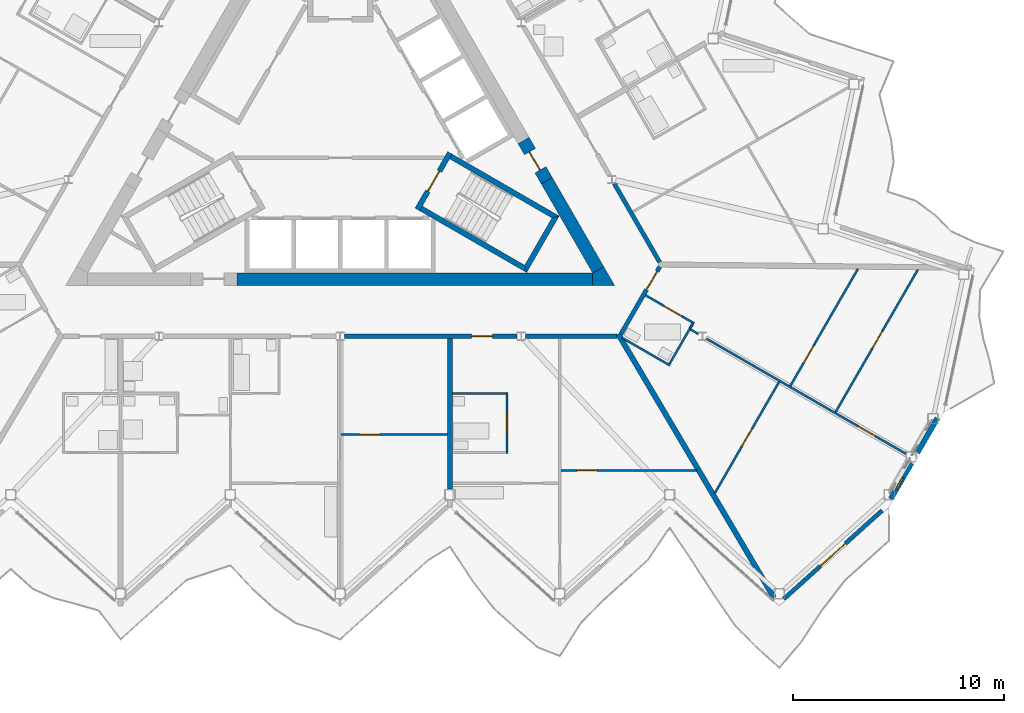
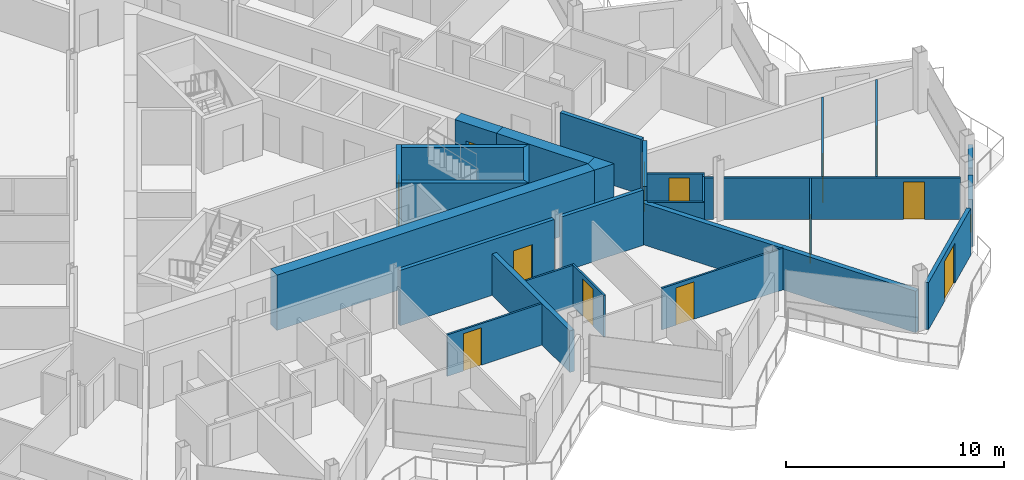
# One storey, part 15 of 26: 30 walls, 13 doors, 1 window, 14 openings.
"""IFC4 building model written with IfcOpenShell, lengths in metres."""

from ifc_helpers import new_model, si_unit, direction, frame, frame_2d, origin, place, context, subcontext, project, spatial, polyline, rectangle, outline, extrude, material, layer, layer_set, type_object, element, fill, save


model = new_model("IFC4")

# Units and contexts
model_context = context("Model", 3, precision=1e-05, world=origin(), true_north=direction((0.0, 1.0)))
body_context = subcontext(model_context, "Body", "Model", "MODEL_VIEW")
ifc_project = project(units=[si_unit("LENGTHUNIT", "METRE"), si_unit("AREAUNIT", "SQUARE_METRE"), si_unit("VOLUMEUNIT", "CUBIC_METRE"), si_unit("PLANEANGLEUNIT", "RADIAN"), si_unit("MASSUNIT", "GRAM", prefix="KILO")], contexts=[model_context])

# Site, building, storey
site_placement = place(None, origin())
site = spatial("IfcSite", under=ifc_project, at=site_placement, CompositionType="ELEMENT")
building_placement = place(site_placement, origin())
building = spatial("IfcBuilding", under=site, at=building_placement, Name="Cormorant Prow Tower", CompositionType="ELEMENT")
storey_placement = place(building_placement, frame((0.0, 0.0, 374.60009765625)))
storey = spatial("IfcBuildingStorey", under=building, at=storey_placement, Name="L84", CompositionType="ELEMENT", Elevation=374.60009765625)

# Walls
ifc_material_1 = material(Name="Concrete 8000 psi", Category="concrete")
ifc_layer_1 = layer(ifc_material_1, 0.60009765625)
ifc_layer_set_1 = layer_set([ifc_layer_1], Name="Concrete 8000 psi")
wall_type_1 = type_object("IfcWallType", Name="Core shear wall 600", PredefinedType="SHEAR", material=ifc_layer_set_1)
wall_1_placement = place(storey_placement, frame((-4.89208984375, -7.20556640625, 0.0), z_axis=(0.0, 0.0, 1.0), x_axis=(1.0, 0.0, 0.0)))
element("IfcWall", 1, at=wall_1_placement, inside=storey, type_object=wall_type_1, Name="Core wall", PredefinedType="SHEAR", context=body_context, shape_type="SweptSolid", body=[
    extrude(rectangle(XDim=16.852783203125, YDim=0.60009765625, at=frame_2d((8.42626953125, 0.0))), origin(), (0.0, 0.0, 1.0), 3.099853515625),
])
wall_2_placement = place(storey_placement, frame((12.220703125, -6.755615234375, 0.0), z_axis=(0.0, 0.0, 1.0), x_axis=(-0.50000604952, 0.866021911064, 0.0)))
element("IfcWall", 2, at=wall_2_placement, inside=storey, type_object=wall_type_1, Name="Core wall", PredefinedType="SHEAR", context=body_context, shape_type="SweptSolid", body=[
    extrude(rectangle(XDim=4.86865234375, YDim=0.60009765625, at=frame_2d((2.434326171875, 0.0))), origin(), (0.0, 0.0, 1.0), 3.099853515625),
])
wall_3_placement = place(storey_placement, origin())
element("IfcWall", 3, at=wall_3_placement, inside=storey, type_object=wall_type_1, Name="Core wall corner", PredefinedType="SHEAR", context=body_context, shape_type="SweptSolid", body=[
    extrude(outline(polyline([(11.960693359375, -7.505615234375), (11.960693359375, -6.905517578125), (12.48046875, -6.605712890625), (13.0, -7.505615234375), (11.960693359375, -7.505615234375)])), origin(), (0.0, 0.0, 1.0), 3.099853515625),
])

# Wall, opening, door
wall_4_placement = place(storey_placement, frame((9.786376953125, -2.539306640625, 0.0), z_axis=(0.0, 0.0, 1.0), x_axis=(-0.499981787252, 0.866035918664, 0.0)))
wall_4 = element("IfcWall", 4, at=wall_4_placement, inside=storey, type_object=wall_type_1, Name="Core wall door panel", PredefinedType="SHEAR", context=body_context, shape_type="SweptSolid", body=[
    extrude(rectangle(XDim=2.2001953125, YDim=0.60009765625, at=frame_2d((1.10009765625, 0.0))), origin(), (0.0, 0.0, 1.0), 3.099853515625),
])
opening_1_placement = place(wall_4_placement, frame((0.60009765625, 0.0, 0.0)))
opening_1 = element("IfcOpeningElement", 5, at=opening_1_placement, cuts=wall_4, Name="Opening L84-C15", PredefinedType="OPENING", context=body_context, shape_type="SweptSolid", body=[
    extrude(rectangle(XDim=1.0, YDim=2.10009765625, at=frame_2d((0.5, 1.050048828125))), frame((0.0, 0.31005859375, 0.0), z_axis=(0.0, -1.0, 0.0), x_axis=(1.0, 0.0, 0.0)), (0.0, 0.0, 1.0), 0.6201171875),
])
ifc_material_2 = material(Name="Painted steel", Category="steel")
door_type_1 = type_object("IfcDoorType", Name="Service door 1000x2100", OperationType="NOTDEFINED", PredefinedType="DOOR", material=ifc_material_2)
door_1_placement = place(opening_1_placement, origin())
door_1 = element("IfcDoor", 6, at=door_1_placement, inside=storey, type_object=door_type_1, Name="Core door, Electrical room", OperationType="SINGLE_SWING_LEFT", OverallHeight=2.10009765625, OverallWidth=1.0, PredefinedType="DOOR", context=body_context, shape_type="SweptSolid", body=[
    extrude(rectangle(XDim=1.0, YDim=2.10009765625, at=frame_2d((0.5, 1.050048828125))), frame((0.0, 0.05517578125, 0.0), z_axis=(0.0, -1.0, 0.0), x_axis=(1.0, 0.0, 0.0)), (0.0, 0.0, 1.0), 0.050048828125),
])
fill(opening_1, door_1)

ifc_material_3 = material(Name="Gypsum board corridor wall")
ifc_layer_2 = layer(ifc_material_3, 0.199951171875)
ifc_layer_set_2 = layer_set([ifc_layer_2], Name="Gypsum board corridor wall")
wall_type_2 = type_object("IfcWallType", Name="Corridor wall 200", PredefinedType="PARTITIONING", material=ifc_layer_set_2)
wall_5_placement = place(storey_placement, frame((0.197021484375, -9.905517578125, 0.0), z_axis=(0.0, 0.0, 1.0), x_axis=(1.0, 0.0, 0.0)))
wall_5 = element("IfcWall", 7, at=wall_5_placement, inside=storey, type_object=wall_type_2, Name="Corridor wall", PredefinedType="PARTITIONING", context=body_context, shape_type="SweptSolid", body=[
    extrude(rectangle(XDim=8.1845703125, YDim=0.199951171875, at=frame_2d((4.09228515625, 0.0))), origin(), (0.0, 0.0, 1.0), 3.099853515625),
])
opening_2_placement = place(wall_5_placement, frame((6.02294921875, 0.0, 0.0)))
opening_2 = element("IfcOpeningElement", 8, at=opening_2_placement, cuts=wall_5, Name="Opening L84-F11", PredefinedType="OPENING", context=body_context, shape_type="SweptSolid", body=[
    extrude(rectangle(XDim=1.0, YDim=2.10009765625, at=frame_2d((0.5, 1.050048828125))), frame((0.0, 0.10986328125, 0.0), z_axis=(0.0, -1.0, 0.0), x_axis=(1.0, 0.0, 0.0)), (0.0, 0.0, 1.0), 0.219970703125),
])
ifc_material_4 = material(Name="Timber door leaf", Category="wood")
door_type_2 = type_object("IfcDoorType", Name="Flat or room entrance door 1000x2100", OperationType="NOTDEFINED", PredefinedType="DOOR", material=ifc_material_4)
door_2_placement = place(opening_2_placement, origin())
door_2 = element("IfcDoor", 9, at=door_2_placement, inside=storey, type_object=door_type_2, Name="Living room door", OperationType="SINGLE_SWING_LEFT", OverallHeight=2.10009765625, OverallWidth=1.0, PredefinedType="DOOR", context=body_context, shape_type="SweptSolid", body=[
    extrude(rectangle(XDim=1.0, YDim=2.10009765625, at=frame_2d((0.5, 1.050048828125))), frame((0.0, 0.02490234375, 0.0), z_axis=(0.0, -1.0, 0.0), x_axis=(1.0, 0.0, 0.0)), (0.0, 0.0, 1.0), 0.050048828125),
])
fill(opening_2, door_2)

# Walls
wall_6_placement = place(storey_placement, frame((8.775390625, -9.905517578125, 0.0), z_axis=(0.0, 0.0, 1.0), x_axis=(1.0, 0.0, 0.0)))
element("IfcWall", 10, at=wall_6_placement, inside=storey, type_object=wall_type_2, Name="Corridor wall", PredefinedType="PARTITIONING", context=body_context, shape_type="SweptSolid", body=[
    extrude(rectangle(XDim=4.33056640625, YDim=0.199951171875, at=frame_2d((2.165283203125, 0.0))), origin(), (0.0, 0.0, 1.0), 3.099853515625),
])
wall_7_placement = place(storey_placement, frame((12.9814453125, -2.67333984375, 0.0), z_axis=(0.0, 0.0, 1.0), x_axis=(0.499986217557, -0.866033360935, 0.0)))
element("IfcWall", 11, at=wall_7_placement, inside=storey, type_object=wall_type_2, Name="Corridor wall", PredefinedType="PARTITIONING", context=body_context, shape_type="SweptSolid", body=[
    extrude(rectangle(XDim=4.2998046875, YDim=0.199951171875, at=frame_2d((2.14990234375, 0.0))), origin(), (0.0, 0.0, 1.0), 3.099853515625),
])

# Wall, opening, door
wall_8_placement = place(storey_placement, frame((13.29345703125, -9.79736328125, 0.0), z_axis=(0.0, 0.0, 1.0), x_axis=(0.499967746641, 0.866044024469, 0.0)))
wall_8 = element("IfcWall", 12, at=wall_8_placement, inside=storey, type_object=wall_type_2, Name="Corridor wall", PredefinedType="PARTITIONING", context=body_context, shape_type="SweptSolid", body=[
    extrude(rectangle(XDim=3.676025390625, YDim=0.199951171875, at=frame_2d((1.837890625, 0.0))), origin(), (0.0, 0.0, 1.0), 3.099853515625),
])
opening_3_placement = place(wall_8_placement, frame((2.426025390625, 0.0, 0.0)))
opening_3 = element("IfcOpeningElement", 13, at=opening_3_placement, cuts=wall_8, Name="Opening L84-F16", PredefinedType="OPENING", context=body_context, shape_type="SweptSolid", body=[
    extrude(rectangle(XDim=1.0, YDim=2.10009765625, at=frame_2d((0.5, 1.050048828125))), frame((0.0, 0.10986328125, 0.0), z_axis=(0.0, -1.0, 0.0), x_axis=(1.0, 0.0, 0.0)), (0.0, 0.0, 1.0), 0.219970703125),
])
door_3_placement = place(opening_3_placement, origin())
door_3 = element("IfcDoor", 14, at=door_3_placement, inside=storey, type_object=door_type_2, Name="Living room door", OperationType="SINGLE_SWING_RIGHT", OverallHeight=2.10009765625, OverallWidth=1.0, PredefinedType="DOOR", context=body_context, shape_type="SweptSolid", body=[
    extrude(rectangle(XDim=1.0, YDim=2.10009765625, at=frame_2d((0.5, 1.050048828125))), frame((0.0, 0.02490234375, 0.0), z_axis=(0.0, -1.0, 0.0), x_axis=(1.0, 0.0, 0.0)), (0.0, 0.0, 1.0), 0.050048828125),
])
fill(opening_3, door_3)

ifc_material_5 = material(Name="Gypsum board partition")
ifc_layer_3 = layer(ifc_material_5, 0.10009765625)
ifc_layer_set_3 = layer_set([ifc_layer_3], Name="Gypsum board partition")
wall_type_3 = type_object("IfcWallType", Name="Internal partition 100", PredefinedType="PARTITIONING", material=ifc_layer_set_3)
wall_9_placement = place(storey_placement, frame((17.35400390625, -10.019287109375, 0.0), z_axis=(0.0, 0.0, 1.0), x_axis=(0.866019680922, -0.500009912158, 0.0)))
wall_9 = element("IfcWall", 15, at=wall_9_placement, inside=storey, type_object=wall_type_3, Name="Internal partition", PredefinedType="PARTITIONING", context=body_context, shape_type="SweptSolid", body=[
    extrude(rectangle(XDim=10.880615234375, YDim=0.10009765625, at=frame_2d((5.4404296875, 0.0))), origin(), (0.0, 0.0, 1.0), 2.330078125),
])
opening_4_placement = place(wall_9_placement, frame((8.276123046875, 0.0, 0.0)))
opening_4 = element("IfcOpeningElement", 16, at=opening_4_placement, cuts=wall_9, Name="Opening L84-F20", PredefinedType="OPENING", context=body_context, shape_type="SweptSolid", body=[
    extrude(rectangle(XDim=0.949951171875, YDim=2.10009765625, at=frame_2d((0.47509765625, 1.050048828125))), frame((0.0, 0.06005859375, 0.0), z_axis=(0.0, -1.0, 0.0), x_axis=(1.0, 0.0, 0.0)), (0.0, 0.0, 1.0), 0.1201171875),
])
ifc_material_6 = material(Name="Timber door leaf", Category="wood")
door_type_3 = type_object("IfcDoorType", Name="Bathroom door 950x2100", OperationType="NOTDEFINED", PredefinedType="DOOR", material=ifc_material_6)
door_4_placement = place(opening_4_placement, origin())
door_4 = element("IfcDoor", 17, at=door_4_placement, inside=storey, type_object=door_type_3, Name="Dining room door", OperationType="SINGLE_SWING_LEFT", OverallHeight=2.10009765625, OverallWidth=0.949951171875, PredefinedType="DOOR", context=body_context, shape_type="SweptSolid", body=[
    extrude(rectangle(XDim=0.949951171875, YDim=2.10009765625, at=frame_2d((0.47509765625, 1.050048828125))), frame((0.0, 0.02490234375, 0.0), z_axis=(0.0, -1.0, 0.0), x_axis=(1.0, 0.0, 0.0)), (0.0, 0.0, 1.0), 0.050048828125),
])
fill(opening_4, door_4)

wall_10_placement = place(storey_placement, frame((23.462646484375, -13.48828125, 0.0), z_axis=(0.0, 0.0, 1.0), x_axis=(0.500012519194, 0.866018175704, 0.0)))
wall_10 = element("IfcWall", 18, at=wall_10_placement, inside=storey, type_object=wall_type_3, Name="Internal partition", PredefinedType="PARTITIONING", context=body_context, shape_type="SweptSolid", body=[
    extrude(rectangle(XDim=7.795654296875, YDim=0.10009765625, at=frame_2d((3.89794921875, 0.0))), origin(), (0.0, 0.0, 1.0), 2.330078125),
])
opening_5_placement = place(wall_10_placement, frame((3.47314453125, 0.0, 0.0)))
opening_5 = element("IfcOpeningElement", 19, at=opening_5_placement, cuts=wall_10, Name="Opening L84-F19", PredefinedType="OPENING", context=body_context, shape_type="SweptSolid", body=[
    extrude(rectangle(XDim=0.949951171875, YDim=2.10009765625, at=frame_2d((0.47509765625, 1.050048828125))), frame((0.0, 0.06005859375, 0.0), z_axis=(0.0, -1.0, 0.0), x_axis=(1.0, 0.0, 0.0)), (0.0, 0.0, 1.0), 0.1201171875),
])
door_5_placement = place(opening_5_placement, origin())
door_5 = element("IfcDoor", 20, at=door_5_placement, inside=storey, type_object=door_type_3, Name="Kitchen door", OperationType="SINGLE_SWING_RIGHT", OverallHeight=2.10009765625, OverallWidth=0.949951171875, PredefinedType="DOOR", context=body_context, shape_type="SweptSolid", body=[
    extrude(rectangle(XDim=0.949951171875, YDim=2.10009765625, at=frame_2d((0.47509765625, 1.050048828125))), frame((0.0, 0.02490234375, 0.0), z_axis=(0.0, -1.0, 0.0), x_axis=(1.0, 0.0, 0.0)), (0.0, 0.0, 1.0), 0.050048828125),
])
fill(opening_5, door_5)

wall_11_placement = place(storey_placement, frame((21.3193359375, -12.2509765625, 0.0), z_axis=(0.0, 0.0, 1.0), x_axis=(0.499999833739, 0.866025499775, 0.0)))
wall_11 = element("IfcWall", 21, at=wall_11_placement, inside=storey, type_object=wall_type_3, Name="Internal partition", PredefinedType="PARTITIONING", context=body_context, shape_type="SweptSolid", body=[
    extrude(rectangle(XDim=6.39990234375, YDim=0.10009765625, at=frame_2d((3.199951171875, 0.0))), origin(), (0.0, 0.0, 1.0), 2.330078125),
])
opening_6_placement = place(wall_11_placement, frame((1.26025390625, 0.0, 0.0)))
opening_6 = element("IfcOpeningElement", 22, at=opening_6_placement, cuts=wall_11, Name="Opening L84-F18", PredefinedType="OPENING", context=body_context, shape_type="SweptSolid", body=[
    extrude(rectangle(XDim=0.949951171875, YDim=2.10009765625, at=frame_2d((0.47509765625, 1.050048828125))), frame((0.0, 0.06005859375, 0.0), z_axis=(0.0, -1.0, 0.0), x_axis=(1.0, 0.0, 0.0)), (0.0, 0.0, 1.0), 0.1201171875),
])
door_6_placement = place(opening_6_placement, origin())
door_6 = element("IfcDoor", 23, at=door_6_placement, inside=storey, type_object=door_type_3, Name="Living room door", OperationType="SINGLE_SWING_RIGHT", OverallHeight=2.10009765625, OverallWidth=0.949951171875, PredefinedType="DOOR", context=body_context, shape_type="SweptSolid", body=[
    extrude(rectangle(XDim=0.949951171875, YDim=2.10009765625, at=frame_2d((0.47509765625, 1.050048828125))), frame((0.0, 0.02490234375, 0.0), z_axis=(0.0, -1.0, 0.0), x_axis=(1.0, 0.0, 0.0)), (0.0, 0.0, 1.0), 0.050048828125),
])
fill(opening_6, door_6)

wall_12_placement = place(storey_placement, frame((10.449951171875, -16.254638671875, 0.0), z_axis=(0.0, 0.0, 1.0), x_axis=(1.0, 0.0, 0.0)))
wall_12 = element("IfcWall", 24, at=wall_12_placement, inside=storey, type_object=wall_type_3, Name="Internal partition", PredefinedType="PARTITIONING", context=body_context, shape_type="SweptSolid", body=[
    extrude(rectangle(XDim=6.446533203125, YDim=0.10009765625, at=frame_2d((3.22314453125, 0.0))), origin(), (0.0, 0.0, 1.0), 2.330078125),
])
opening_7_placement = place(wall_12_placement, frame((0.759765625, 0.0, 0.0)))
opening_7 = element("IfcOpeningElement", 25, at=opening_7_placement, cuts=wall_12, Name="Opening L84-F15", PredefinedType="OPENING", context=body_context, shape_type="SweptSolid", body=[
    extrude(rectangle(XDim=0.949951171875, YDim=2.10009765625, at=frame_2d((0.47509765625, 1.050048828125))), frame((0.0, 0.06005859375, 0.0), z_axis=(0.0, -1.0, 0.0), x_axis=(1.0, 0.0, 0.0)), (0.0, 0.0, 1.0), 0.1201171875),
])
door_7_placement = place(opening_7_placement, origin())
door_7 = element("IfcDoor", 26, at=door_7_placement, inside=storey, type_object=door_type_3, Name="Bedroom door", OperationType="SINGLE_SWING_LEFT", OverallHeight=2.10009765625, OverallWidth=0.949951171875, PredefinedType="DOOR", context=body_context, shape_type="SweptSolid", body=[
    extrude(rectangle(XDim=0.949951171875, YDim=2.10009765625, at=frame_2d((0.47509765625, 1.050048828125))), frame((0.0, 0.02490234375, 0.0), z_axis=(0.0, -1.0, 0.0), x_axis=(1.0, 0.0, 0.0)), (0.0, 0.0, 1.0), 0.050048828125),
])
fill(opening_7, door_7)

wall_13_placement = place(storey_placement, frame((17.743896484375, -17.329345703125, 0.0), z_axis=(0.0, 0.0, 1.0), x_axis=(0.49997479812, 0.866039953608, 0.0)))
wall_13 = element("IfcWall", 27, at=wall_13_placement, inside=storey, type_object=wall_type_3, Name="Internal partition", PredefinedType="PARTITIONING", context=body_context, shape_type="SweptSolid", body=[
    extrude(rectangle(XDim=6.085693359375, YDim=0.10009765625, at=frame_2d((3.04296875, 0.0))), origin(), (0.0, 0.0, 1.0), 2.330078125),
])
opening_8_placement = place(wall_13_placement, frame((2.56787109375, 0.0, 0.0)))
opening_8 = element("IfcOpeningElement", 28, at=opening_8_placement, cuts=wall_13, Name="Opening L84-F21", PredefinedType="OPENING", context=body_context, shape_type="SweptSolid", body=[
    extrude(rectangle(XDim=0.949951171875, YDim=2.10009765625, at=frame_2d((0.47509765625, 1.050048828125))), frame((0.0, 0.06005859375, 0.0), z_axis=(0.0, -1.0, 0.0), x_axis=(1.0, 0.0, 0.0)), (0.0, 0.0, 1.0), 0.1201171875),
])
door_8_placement = place(opening_8_placement, origin())
door_8 = element("IfcDoor", 29, at=door_8_placement, inside=storey, type_object=door_type_3, Name="Principal bedroom door", OperationType="SINGLE_SWING_LEFT", OverallHeight=2.10009765625, OverallWidth=0.949951171875, PredefinedType="DOOR", context=body_context, shape_type="SweptSolid", body=[
    extrude(rectangle(XDim=0.949951171875, YDim=2.10009765625, at=frame_2d((0.47509765625, 1.050048828125))), frame((0.0, 0.02490234375, 0.0), z_axis=(0.0, -1.0, 0.0), x_axis=(1.0, 0.0, 0.0)), (0.0, 0.0, 1.0), 0.050048828125),
])
fill(opening_8, door_8)

wall_14_placement = place(storey_placement, frame((0.050048828125, -14.555419921875, 0.0), z_axis=(0.0, 0.0, 1.0), x_axis=(1.0, 0.0, 0.0)))
wall_14 = element("IfcWall", 30, at=wall_14_placement, inside=storey, type_object=wall_type_3, Name="Internal partition", PredefinedType="PARTITIONING", context=body_context, shape_type="SweptSolid", body=[
    extrude(rectangle(XDim=5.02490234375, YDim=0.10009765625, at=frame_2d((2.512451171875, 0.0))), origin(), (0.0, 0.0, 1.0), 2.330078125),
])
opening_9_placement = place(wall_14_placement, frame((0.86279296875, 0.0, 0.0)))
opening_9 = element("IfcOpeningElement", 31, at=opening_9_placement, cuts=wall_14, Name="Opening L84-F09", PredefinedType="OPENING", context=body_context, shape_type="SweptSolid", body=[
    extrude(rectangle(XDim=0.949951171875, YDim=2.10009765625, at=frame_2d((0.47509765625, 1.050048828125))), frame((0.0, 0.06005859375, 0.0), z_axis=(0.0, -1.0, 0.0), x_axis=(1.0, 0.0, 0.0)), (0.0, 0.0, 1.0), 0.1201171875),
])
door_9_placement = place(opening_9_placement, origin())
door_9 = element("IfcDoor", 32, at=door_9_placement, inside=storey, type_object=door_type_3, Name="Bedroom door", OperationType="SINGLE_SWING_LEFT", OverallHeight=2.10009765625, OverallWidth=0.949951171875, PredefinedType="DOOR", context=body_context, shape_type="SweptSolid", body=[
    extrude(rectangle(XDim=0.949951171875, YDim=2.10009765625, at=frame_2d((0.47509765625, 1.050048828125))), frame((0.0, 0.02490234375, 0.0), z_axis=(0.0, -1.0, 0.0), x_axis=(1.0, 0.0, 0.0)), (0.0, 0.0, 1.0), 0.050048828125),
])
fill(opening_9, door_9)

wall_15_placement = place(storey_placement, frame((7.89990234375, -15.45556640625, 0.0), z_axis=(0.0, 0.0, 1.0), x_axis=(0.0, 1.0, 0.0)))
wall_15 = element("IfcWall", 33, at=wall_15_placement, inside=storey, type_object=wall_type_3, Name="Internal partition", PredefinedType="PARTITIONING", context=body_context, shape_type="SweptSolid", body=[
    extrude(rectangle(XDim=2.89990234375, YDim=0.10009765625, at=frame_2d((1.449951171875, 0.0))), origin(), (0.0, 0.0, 1.0), 2.330078125),
])
opening_10_placement = place(wall_15_placement, frame((0.97509765625, 0.0, 0.0)))
opening_10 = element("IfcOpeningElement", 34, at=opening_10_placement, cuts=wall_15, Name="Opening L84-F12", PredefinedType="OPENING", context=body_context, shape_type="SweptSolid", body=[
    extrude(rectangle(XDim=0.949951171875, YDim=2.10009765625, at=frame_2d((0.47509765625, 1.050048828125))), frame((0.0, 0.06005859375, 0.0), z_axis=(0.0, -1.0, 0.0), x_axis=(1.0, 0.0, 0.0)), (0.0, 0.0, 1.0), 0.1201171875),
])
door_10_placement = place(opening_10_placement, origin())
door_10 = element("IfcDoor", 35, at=door_10_placement, inside=storey, type_object=door_type_3, Name="Living room door", OperationType="SINGLE_SWING_RIGHT", OverallHeight=2.10009765625, OverallWidth=0.949951171875, PredefinedType="DOOR", context=body_context, shape_type="SweptSolid", body=[
    extrude(rectangle(XDim=0.949951171875, YDim=2.10009765625, at=frame_2d((0.47509765625, 1.050048828125))), frame((0.0, 0.02490234375, 0.0), z_axis=(0.0, -1.0, 0.0), x_axis=(1.0, 0.0, 0.0)), (0.0, 0.0, 1.0), 0.050048828125),
])
fill(opening_10, door_10)

# Walls
wall_16_placement = place(storey_placement, frame((13.339111328125, -9.968017578125, 0.0), z_axis=(0.0, 0.0, 1.0), x_axis=(0.866013657776, -0.500020344131, 0.0)))
element("IfcWall", 36, at=wall_16_placement, inside=storey, type_object=wall_type_3, Name="Internal partition", PredefinedType="PARTITIONING", context=body_context, shape_type="SweptSolid", body=[
    extrude(rectangle(XDim=2.625, YDim=0.10009765625, at=frame_2d((1.3125, 0.0))), origin(), (0.0, 0.0, 1.0), 2.330078125),
])
wall_17_placement = place(storey_placement, frame((5.324951171875, -12.605712890625, 0.0), z_axis=(0.0, 0.0, 1.0), x_axis=(1.0, 0.0, 0.0)))
element("IfcWall", 37, at=wall_17_placement, inside=storey, type_object=wall_type_3, Name="Internal partition", PredefinedType="PARTITIONING", context=body_context, shape_type="SweptSolid", body=[
    extrude(rectangle(XDim=2.525146484375, YDim=0.10009765625, at=frame_2d((1.2626953125, 0.0))), origin(), (0.0, 0.0, 1.0), 2.330078125),
])

# Wall, opening, door
wall_18_placement = place(storey_placement, frame((14.46728515625, -7.963623046875, 0.0), z_axis=(0.0, 0.0, 1.0), x_axis=(0.866062824362, -0.499935180056, 0.0)))
wall_18 = element("IfcWall", 38, at=wall_18_placement, inside=storey, type_object=wall_type_3, Name="Internal partition", PredefinedType="PARTITIONING", context=body_context, shape_type="SweptSolid", body=[
    extrude(rectangle(XDim=2.649169921875, YDim=0.10009765625, at=frame_2d((1.32470703125, 0.0))), origin(), (0.0, 0.0, 1.0), 2.330078125),
])
opening_11_placement = place(wall_18_placement, frame((1.01318359375, 0.0, 0.0)))
opening_11 = element("IfcOpeningElement", 39, at=opening_11_placement, cuts=wall_18, Name="Opening L84-F17", PredefinedType="OPENING", context=body_context, shape_type="SweptSolid", body=[
    extrude(rectangle(XDim=0.949951171875, YDim=2.10009765625, at=frame_2d((0.47509765625, 1.050048828125))), frame((0.0, 0.06005859375, 0.0), z_axis=(0.0, -1.0, 0.0), x_axis=(1.0, 0.0, 0.0)), (0.0, 0.0, 1.0), 0.1201171875),
])
door_11_placement = place(opening_11_placement, origin())
door_11 = element("IfcDoor", 40, at=door_11_placement, inside=storey, type_object=door_type_3, Name="Living room door", OperationType="SINGLE_SWING_RIGHT", OverallHeight=2.10009765625, OverallWidth=0.949951171875, PredefinedType="DOOR", context=body_context, shape_type="SweptSolid", body=[
    extrude(rectangle(XDim=0.949951171875, YDim=2.10009765625, at=frame_2d((0.47509765625, 1.050048828125))), frame((0.0, 0.02490234375, 0.0), z_axis=(0.0, -1.0, 0.0), x_axis=(1.0, 0.0, 0.0)), (0.0, 0.0, 1.0), 0.050048828125),
])
fill(opening_11, door_11)

# Walls
wall_19_placement = place(storey_placement, frame((15.593994140625, -11.21240234375, 0.0), z_axis=(0.0, 0.0, 1.0), x_axis=(0.499958068602, 0.866049611535, 0.0)))
element("IfcWall", 41, at=wall_19_placement, inside=storey, type_object=wall_type_3, Name="Internal partition", PredefinedType="PARTITIONING", context=body_context, shape_type="SweptSolid", body=[
    extrude(rectangle(XDim=1.973388671875, YDim=0.10009765625, at=frame_2d((0.98681640625, 0.0))), origin(), (0.0, 0.0, 1.0), 2.330078125),
])
wall_20_placement = place(storey_placement, frame((16.593994140625, -9.58056640625, 0.0), z_axis=(0.0, 0.0, 1.0), x_axis=(0.866137484628, -0.499805820016, 0.0)))
element("IfcWall", 42, at=wall_20_placement, inside=storey, type_object=wall_type_3, Name="Internal partition", PredefinedType="PARTITIONING", context=body_context, shape_type="SweptSolid", body=[
    extrude(rectangle(XDim=0.422607421875, YDim=0.10009765625, at=frame_2d((0.21142578125, 0.0))), origin(), (0.0, 0.0, 1.0), 2.330078125),
])
wall_21_placement = place(storey_placement, frame((16.581787109375, -9.501220703125, 0.0), z_axis=(0.0, 0.0, 1.0), x_axis=(0.49742780181, 0.86750537865, 0.0)))
element("IfcWall", 43, at=wall_21_placement, inside=storey, type_object=wall_type_3, Name="Internal partition", PredefinedType="PARTITIONING", context=body_context, shape_type="SweptSolid", body=[
    extrude(rectangle(XDim=0.224365234375, YDim=0.10009765625, at=frame_2d((0.1123046875, 0.0))), origin(), (0.0, 0.0, 1.0), 2.330078125),
])
ifc_material_7 = material(Name="Concrete 8000 psi", Category="concrete")
ifc_layer_4 = layer(ifc_material_7, 0.25)
ifc_layer_set_4 = layer_set([ifc_layer_4], Name="Concrete 8000 psi")
wall_type_4 = type_object("IfcWallType", Name="Stair wall 250", PredefinedType="SHEAR", material=ifc_layer_set_4)
wall_22_placement = place(storey_placement, origin())
element("IfcWall", 44, at=wall_22_placement, inside=storey, type_object=wall_type_4, Name="Stair ST2 enclosure wall (flank)", PredefinedType="SHEAR", context=body_context, shape_type="SweptSolid", body=[
    extrude(outline(polyline([(3.76318359375, -3.95556640625), (8.82958984375, -6.880615234375), (8.738037109375, -6.5390625), (3.88818359375, -3.739013671875), (3.76318359375, -3.95556640625)])), origin(), (0.0, 0.0, 1.0), 3.099853515625),
])
wall_23_placement = place(storey_placement, origin())
element("IfcWall", 45, at=wall_23_placement, inside=storey, type_object=wall_type_4, Name="Stair ST2 enclosure wall (end)", PredefinedType="SHEAR", context=body_context, shape_type="SweptSolid", body=[
    extrude(outline(polyline([(8.82958984375, -6.880615234375), (10.37353515625, -4.206298828125), (10.031982421875, -4.2978515625), (8.738037109375, -6.5390625), (8.82958984375, -6.880615234375)])), origin(), (0.0, 0.0, 1.0), 3.099853515625),
])
wall_24_placement = place(storey_placement, origin())
element("IfcWall", 46, at=wall_24_placement, inside=storey, type_object=wall_type_4, Name="Stair ST2 enclosure wall (flank)", PredefinedType="SHEAR", context=body_context, shape_type="SweptSolid", body=[
    extrude(outline(polyline([(10.031982421875, -4.2978515625), (10.37353515625, -4.206298828125), (5.30712890625, -1.28125), (5.18212890625, -1.497802734375), (10.031982421875, -4.2978515625)])), origin(), (0.0, 0.0, 1.0), 3.099853515625),
])

# Wall, opening, door
wall_25_placement = place(storey_placement, frame((3.655029296875, -3.89306640625, 0.0), z_axis=(0.0, 0.0, 1.0), x_axis=(0.499982516597, 0.866035497597, 0.0)))
wall_25 = element("IfcWall", 47, at=wall_25_placement, inside=storey, type_object=wall_type_4, Name="Stair ST2 door wall", PredefinedType="SHEAR", context=body_context, shape_type="SweptSolid", body=[
    extrude(rectangle(XDim=3.087890625, YDim=0.25, at=frame_2d((1.5439453125, 0.0))), origin(), (0.0, 0.0, 1.0), 3.099853515625),
])
opening_12_placement = place(wall_25_placement, frame((0.993896484375, 0.0, 0.0)))
opening_12 = element("IfcOpeningElement", 48, at=opening_12_placement, cuts=wall_25, Name="Opening L84-C12", PredefinedType="OPENING", context=body_context, shape_type="SweptSolid", body=[
    extrude(rectangle(XDim=1.10009765625, YDim=2.10009765625, at=frame_2d((0.550048828125, 1.050048828125))), frame((0.0, 0.135009765625, 0.0), z_axis=(0.0, -1.0, 0.0), x_axis=(1.0, 0.0, 0.0)), (0.0, 0.0, 1.0), 0.27001953125),
])
ifc_material_8 = material(Name="Painted steel", Category="steel")
door_type_4 = type_object("IfcDoorType", Name="Stair door 1100x2100", OperationType="NOTDEFINED", PredefinedType="DOOR", material=ifc_material_8)
door_12_placement = place(opening_12_placement, origin())
door_12 = element("IfcDoor", 49, at=door_12_placement, inside=storey, type_object=door_type_4, Name="Stair ST2 door", OperationType="SINGLE_SWING_RIGHT", OverallHeight=2.10009765625, OverallWidth=1.10009765625, PredefinedType="DOOR", context=body_context, shape_type="SweptSolid", body=[
    extrude(rectangle(XDim=1.10009765625, YDim=2.10009765625, at=frame_2d((0.550048828125, 1.050048828125))), frame((0.0, 0.02490234375, 0.0), z_axis=(0.0, -1.0, 0.0), x_axis=(1.0, 0.0, 0.0)), (0.0, 0.0, 1.0), 0.050048828125),
])
fill(opening_12, door_12)

# Walls
ifc_material_9 = material(Name="Acoustic gypsum party wall")
ifc_layer_5 = layer(ifc_material_9, 0.25)
ifc_layer_set_5 = layer_set([ifc_layer_5], Name="Acoustic gypsum party wall")
wall_type_5 = type_object("IfcWallType", Name="Suite party wall 250", PredefinedType="PARTITIONING", material=ifc_layer_set_5)
wall_26_placement = place(storey_placement, frame((13.167236328125, -9.7978515625, 0.0), z_axis=(0.0, 0.0, 1.0), x_axis=(0.508707178493, -0.860939606796, 0.0)))
element("IfcWall", 50, at=wall_26_placement, inside=storey, type_object=wall_type_5, Name="Suite party wall", PredefinedType="PARTITIONING", context=body_context, shape_type="SweptSolid", body=[
    extrude(rectangle(XDim=14.4931640625, YDim=0.25, at=frame_2d((7.24658203125, 0.0))), origin(), (0.0, 0.0, 1.0), 2.330078125),
])
wall_27_placement = place(storey_placement, frame((5.199951171875, -17.145751953125, 0.0), z_axis=(0.0, 0.0, 1.0), x_axis=(0.0, 1.0, 0.0)))
element("IfcWall", 51, at=wall_27_placement, inside=storey, type_object=wall_type_5, Name="Suite party wall", PredefinedType="PARTITIONING", context=body_context, shape_type="SweptSolid", body=[
    extrude(rectangle(XDim=7.14013671875, YDim=0.25, at=frame_2d((3.570068359375, 0.0))), origin(), (0.0, 0.0, 1.0), 2.330078125),
])

# Wall, opening, window
ifc_material_10 = material(Name="Terracotta", Category="masonry")
ifc_layer_6 = layer(ifc_material_10, 0.25)
ifc_layer_set_6 = layer_set([ifc_layer_6], Name="Terracotta")
wall_type_6 = type_object("IfcWallType", Name="Terracotta bay wall 250", PredefinedType="SOLIDWALL", material=ifc_layer_set_6)
wall_28_placement = place(storey_placement, frame((26.07470703125, -17.60400390625, 0.0), z_axis=(0.0, 0.0, 1.0), x_axis=(0.500017700655, 0.866015184065, 0.0)))
wall_28 = element("IfcWall", 52, at=wall_28_placement, inside=storey, type_object=wall_type_6, Name="Terracotta bay wall ESE00", PredefinedType="SOLIDWALL", context=body_context, shape_type="SweptSolid", body=[
    extrude(rectangle(XDim=1.95654296875, YDim=0.25, at=frame_2d((0.978271484375, 0.0))), origin(), (0.0, 0.0, 1.0), 2.6337890625),
])
opening_13_placement = place(wall_28_placement, frame((0.550048828125, 0.0, 0.39990234375)))
opening_13 = element("IfcOpeningElement", 53, at=opening_13_placement, cuts=wall_28, Name="Opening WN10", PredefinedType="OPENING", context=body_context, shape_type="SweptSolid", body=[
    extrude(rectangle(XDim=0.60009765625, YDim=0.60009765625, at=frame_2d((0.300048828125, 0.300048828125))), frame((0.0, 0.135009765625, 0.0), z_axis=(0.0, -1.0, 0.0), x_axis=(1.0, 0.0, 0.0)), (0.0, 0.0, 1.0), 0.27001953125),
])
ifc_material_11 = material(Name="Aluminium 6063-T6", Category="aluminium")
window_type = type_object("IfcWindowType", Name="Corner bay window 600x600", PartitioningType="SINGLE_PANEL", PredefinedType="WINDOW", material=ifc_material_11)
window_placement = place(opening_13_placement, origin())
window = element("IfcWindow", 54, at=window_placement, inside=storey, type_object=window_type, Name="Corner bay window ESE00", OverallHeight=0.60009765625, OverallWidth=0.60009765625, PartitioningType="SINGLE_PANEL", PredefinedType="WINDOW", context=body_context, shape_type="SweptSolid", body=[
    extrude(rectangle(XDim=0.60009765625, YDim=0.60009765625, at=frame_2d((0.300048828125, 0.300048828125))), frame((0.0, 0.030029296875, 0.0), z_axis=(0.0, -1.0, 0.0), x_axis=(1.0, 0.0, 0.0)), (0.0, 0.0, 1.0), 0.06005859375),
])
fill(opening_13, window)

# Wall
wall_29_placement = place(storey_placement, frame((27.341552734375, -15.40966796875, 0.0), z_axis=(0.0, 0.0, 1.0), x_axis=(0.500044242988, 0.865999858577, 0.0)))
element("IfcWall", 55, at=wall_29_placement, inside=storey, type_object=wall_type_6, Name="Terracotta bay wall ESE01", PredefinedType="SOLIDWALL", context=body_context, shape_type="SweptSolid", body=[
    extrude(rectangle(XDim=1.882568359375, YDim=0.25, at=frame_2d((0.94140625, 0.0))), origin(), (0.0, 0.0, 1.0), 2.6337890625),
])

# Wall, opening, door
ifc_material_12 = material(Name="Terracotta", Category="masonry")
ifc_layer_7 = layer(ifc_material_12, 0.199951171875)
ifc_layer_set_7 = layer_set([ifc_layer_7], Name="Terracotta")
wall_type_7 = type_object("IfcWallType", Name="Terracotta jamb wall 200", PredefinedType="SOLIDWALL", material=ifc_layer_set_7)
wall_30_placement = place(storey_placement, frame((21.005126953125, -22.346435546875, 0.0), z_axis=(0.0, 0.0, 1.0), x_axis=(0.743137181878, 0.669139095339, 0.0)))
wall_30 = element("IfcWall", 56, at=wall_30_placement, inside=storey, type_object=wall_type_7, Name="Terracotta jamb wall S09", PredefinedType="SOLIDWALL", context=body_context, shape_type="SweptSolid", body=[
    extrude(rectangle(XDim=6.265380859375, YDim=0.199951171875, at=frame_2d((3.1328125, 0.0))), origin(), (0.0, 0.0, 1.0), 2.6337890625),
])
opening_14_placement = place(wall_30_placement, frame((2.332763671875, 0.0, 0.0)))
opening_14 = element("IfcOpeningElement", 57, at=opening_14_placement, cuts=wall_30, Name="Opening ED84.05", PredefinedType="OPENING", context=body_context, shape_type="SweptSolid", body=[
    extrude(rectangle(XDim=1.60009765625, YDim=2.25, at=frame_2d((0.800048828125, 1.125))), frame((0.0, 0.10986328125, 0.0), z_axis=(0.0, -1.0, 0.0), x_axis=(1.0, 0.0, 0.0)), (0.0, 0.0, 1.0), 0.219970703125),
])
ifc_material_13 = material(Name="Aluminium 6063-T6", Category="aluminium")
door_type_5 = type_object("IfcDoorType", Name="Balcony door 1600x2250", OperationType="DOUBLE_DOOR_SINGLE_SWING", PredefinedType="DOOR", material=ifc_material_13)
door_13_placement = place(opening_14_placement, origin())
door_13 = element("IfcDoor", 58, at=door_13_placement, inside=storey, type_object=door_type_5, Name="Balcony door S09 ED84.05", OperationType="DOUBLE_DOOR_SINGLE_SWING", OverallHeight=2.25, OverallWidth=1.60009765625, PredefinedType="DOOR", context=body_context, shape_type="SweptSolid", body=[
    extrude(rectangle(XDim=1.60009765625, YDim=2.25, at=frame_2d((0.800048828125, 1.125))), frame((0.0, 0.02490234375, 0.0), z_axis=(0.0, -1.0, 0.0), x_axis=(1.0, 0.0, 0.0)), (0.0, 0.0, 1.0), 0.050048828125),
])
fill(opening_14, door_13)

save(model, "model.ifc")
